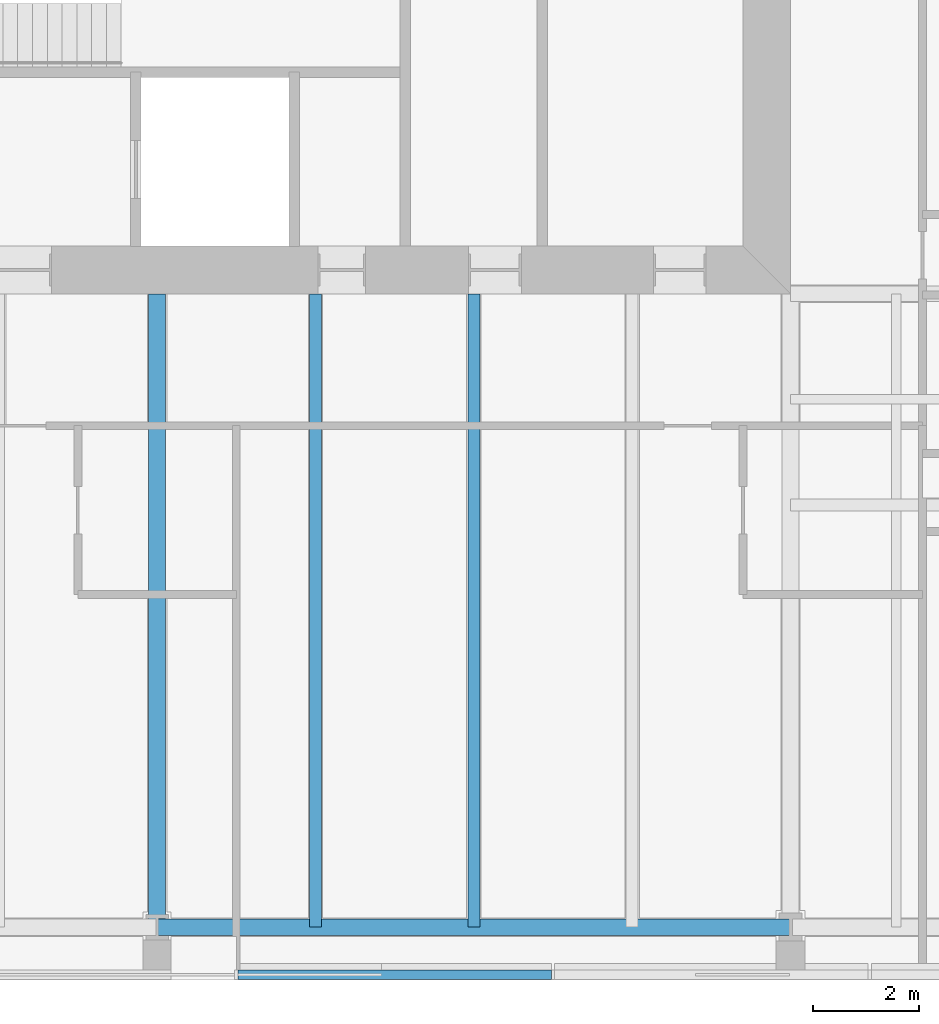
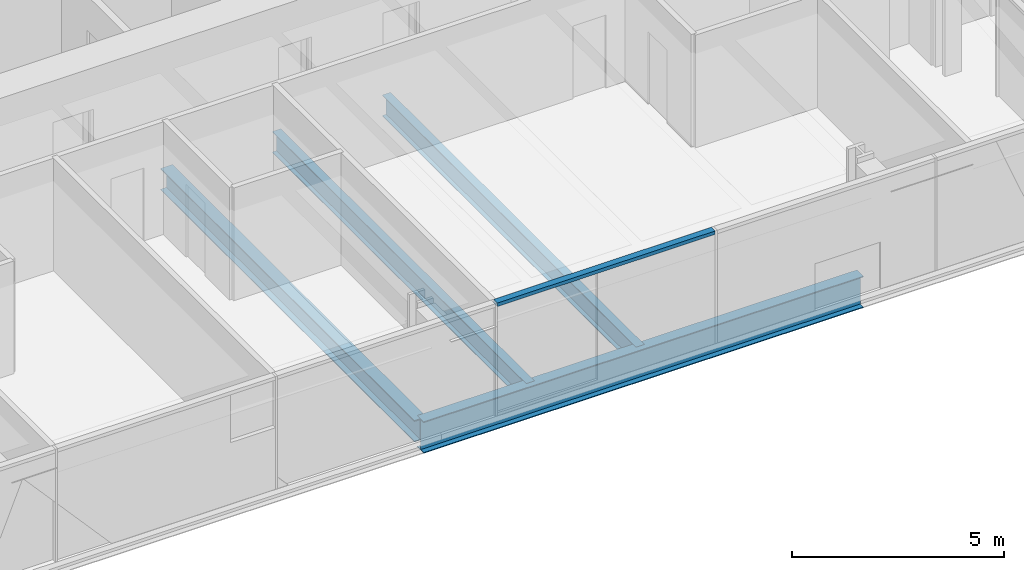
# One storey, part 3 of 18: 4 beams, 1 member, 1 element without a shape of its own.
"""IFC4 building model written with IfcOpenShell, lengths in metres."""

import ifcopenshell
import ifcopenshell.guid

model = None  # the IFC model being written
_history = None  # IfcOwnerHistory: only IFC2X3 demands one
_inside = {}  # id of a spatial element -> (the spatial element, [elements in it])
_under = {}  # id of a project, library or spatial element -> (it, [spatial elements below it])
_declared = {}  # id of a project -> (the project, [libraries it declares])
_typed = {}  # id of a type object -> (the type object, [elements of that type])
_made_of = {}  # id of a material, layer set ... -> (it, [elements and type objects made of it])


def new_model(schema):
    """Start an empty IFC model of exactly this schema.

    Asked for "IFC4X3", IfcOpenShell would pick the latest addendum, in which some entities
    have other attributes; the version numbers below select the first issue.
    IFC2X3 requires an IfcOwnerHistory on every rooted entity: one is made here for all.
    """
    global model, _history
    if schema == "IFC4X3":
        model = ifcopenshell.file(schema_version=(4, 3, 0, 0))
    else:
        model = ifcopenshell.file(schema=schema)
    _inside.clear()
    _under.clear()
    _declared.clear()
    _typed.clear()
    _made_of.clear()
    _history = None
    if model.schema == "IFC2X3":
        org = make("IfcOrganization", Name="unknown")
        user = make(
            "IfcPersonAndOrganization",
            ThePerson=make("IfcPerson", FamilyName="unknown"),
            TheOrganization=org,
        )
        app = make(
            "IfcApplication",
            ApplicationDeveloper=org,
            Version="unknown",
            ApplicationFullName="unknown",
            ApplicationIdentifier="unknown",
        )
        _history = make(
            "IfcOwnerHistory",
            OwningUser=user,
            OwningApplication=app,
            ChangeAction="ADDED",
            CreationDate=0,
        )
    return model


def make(cls, **values):
    """One entity of the class cls with the attributes given. An attribute that is None is left unset."""
    return model.create_entity(
        cls, **{name: value for name, value in values.items() if value is not None}
    )


def rooted(cls, **values):
    """An entity with a GlobalId (a new one), such as an element, a storey or a relation."""
    return make(cls, GlobalId=ifcopenshell.guid.new(), OwnerHistory=_history, **values)


def si_unit(unit_type, name, prefix=None):
    """IfcSIUnit, for example si_unit("LENGTHUNIT", "METRE", prefix="MILLI")."""
    return make("IfcSIUnit", UnitType=unit_type, Prefix=prefix, Name=name)


def assignment(units):
    """IfcUnitAssignment: the units of a project."""
    return None if units is None else make("IfcUnitAssignment", Units=units)


def point(xyz):
    """IfcCartesianPoint."""
    return None if xyz is None else make("IfcCartesianPoint", Coordinates=xyz)


def direction(xyz):
    """IfcDirection."""
    return None if xyz is None else make("IfcDirection", DirectionRatios=xyz)


def frame(location, z_axis=None, x_axis=None):
    """IfcAxis2Placement3D, a coordinate frame: its origin and axes. An axis left out is left unset."""
    return make(
        "IfcAxis2Placement3D",
        Location=point(location),
        Axis=direction(z_axis),
        RefDirection=direction(x_axis),
    )


def frame_2d(location, x_axis=None):
    """IfcAxis2Placement2D, a coordinate frame in the plane: its origin and x axis."""
    return make(
        "IfcAxis2Placement2D", Location=point(location), RefDirection=direction(x_axis)
    )


def origin():
    """The frame at (0, 0, 0) with its axes left unset."""
    return frame((0.0, 0.0, 0.0))


def origin_2d():
    """The frame at (0, 0) in the plane with its x axis left unset."""
    return frame_2d((0.0, 0.0))


def place(relative_to, where):
    """IfcLocalPlacement: puts the frame where relative to a parent placement (None: the world)."""
    return make(
        "IfcLocalPlacement", PlacementRelTo=relative_to, RelativePlacement=where
    )


def context(
    kind, dimensions, precision=None, world=None, true_north=None, identifier=None
):
    """IfcGeometricRepresentationContext, for example the 3D "Model" context."""
    return make(
        "IfcGeometricRepresentationContext",
        ContextIdentifier=identifier,
        ContextType=kind,
        CoordinateSpaceDimension=dimensions,
        Precision=precision,
        WorldCoordinateSystem=world,
        TrueNorth=true_north,
    )


def subcontext(parent, identifier, kind, view, scale=None):
    """IfcGeometricRepresentationSubContext, for example "Body" below "Model"."""
    return make(
        "IfcGeometricRepresentationSubContext",
        ContextIdentifier=identifier,
        ContextType=kind,
        ParentContext=parent,
        TargetScale=scale,
        TargetView=view,
    )


def project(units=None, contexts=None):
    """IfcProject with its units and contexts."""
    return rooted(
        "IfcProject",
        Name="project",
        RepresentationContexts=contexts,
        UnitsInContext=assignment(units),
    )


def spatial(cls, under=None, at=None, **own):
    """A site, building, storey or space (cls), placed at a placement, below another one or the project."""
    s = rooted(cls, ObjectPlacement=at, **own)
    if under is not None:
        _under.setdefault(under.id(), (under, []))[1].append(s)
    return s


def profile(cls, at=None, kind="AREA", **sizes):
    """A parametric profile (cls). Its sizes go by their IFC names, for example OverallWidth=200.0."""
    return make(cls, ProfileType=kind, Position=at, **sizes)


def rectangle(**sizes):
    """IfcRectangleProfileDef."""
    return profile("IfcRectangleProfileDef", **sizes)


def i_section(**sizes):
    """IfcIShapeProfileDef."""
    return profile("IfcIShapeProfileDef", **sizes)


def extrude(swept, where, along, depth):
    """IfcExtrudedAreaSolid: the profile swept, set in the frame where, extruded along a direction by depth."""
    return make(
        "IfcExtrudedAreaSolid",
        SweptArea=swept,
        Position=where,
        ExtrudedDirection=direction(along),
        Depth=depth,
    )


def shape(context_of_items, identifier, shape_type, items):
    """IfcShapeRepresentation: the items that make up one representation, for example the "Body"."""
    return make(
        "IfcShapeRepresentation",
        ContextOfItems=context_of_items,
        RepresentationIdentifier=identifier,
        RepresentationType=shape_type,
        Items=items,
    )


def material(Name=None, Category=None):
    """IfcMaterial."""
    return make("IfcMaterial", Name=Name, Category=Category)


def material_profile(
    of_material, cross_section, Name=None, Category=None, Priority=None
):
    """IfcMaterialProfile: a cross section and its material."""
    return make(
        "IfcMaterialProfile",
        Name=Name,
        Material=of_material,
        Profile=cross_section,
        Priority=Priority,
        Category=Category,
    )


def profile_set(profiles, Name=None, composite=None):
    """IfcMaterialProfileSet."""
    return make(
        "IfcMaterialProfileSet",
        Name=Name,
        MaterialProfiles=profiles,
        CompositeProfile=composite,
    )


def made_of(thing, what):
    """Note that an element or type object is made of a material, layer set ...; save() writes the relation."""
    if what is not None:
        _made_of.setdefault(what.id(), (what, []))[1].append(thing)
    return thing


def type_object(cls, material=None, **own):
    """A type object (cls), such as IfcWallType, which elements share."""
    return made_of(rooted(cls, **own), material)


def element(
    cls,
    number,
    at=None,
    inside=None,
    cuts=None,
    type_object=None,
    material=None,
    context=None,
    identifier="Body",
    shape_type=None,
    held_by="IfcProductDefinitionShape",
    body=None,
    shapes=None,
    **own,
):
    """One element of the class cls, such as IfcWall. Its Tag is "e" and its number.

    at: its placement. inside: the storey or other place that contains it. cuts: it is an
    opening in that element (IfcRelVoidsElement). A single representation is given by context,
    identifier, shape_type and body (its items); several are given by shapes. held_by: the class
    of the entity that holds the representations. save() writes the other relations.
    """
    e = rooted(cls, Tag="e%d" % number, ObjectPlacement=at, **own)
    if body is not None:
        shapes = [shape(context, identifier, shape_type, body)]
    if shapes is not None:
        e.Representation = make(held_by, Representations=shapes)
    if inside is not None:
        _inside.setdefault(inside.id(), (inside, []))[1].append(e)
    if cuts is not None:
        rooted(
            "IfcRelVoidsElement", RelatingBuildingElement=cuts, RelatedOpeningElement=e
        )
    if type_object is not None:
        _typed.setdefault(type_object.id(), (type_object, []))[1].append(e)
    return made_of(e, material)


def aggregate(whole, parts):
    """IfcRelAggregates: a whole, such as a stair, and the parts it consists of."""
    return rooted("IfcRelAggregates", RelatingObject=whole, RelatedObjects=parts)


def save(model, path):
    """Write the relations noted so far, then the file.

    IfcRelAggregates (storeys below a building ...), IfcRelContainedInSpatialStructure (elements
    in a storey), IfcRelDefinesByType, IfcRelAssociatesMaterial and IfcRelDeclares: one each for
    every whole, place, type object, material and project.
    """
    for whole, parts in _under.values():
        aggregate(whole, parts)
    for where, things in _inside.values():
        rooted(
            "IfcRelContainedInSpatialStructure",
            RelatedElements=things,
            RelatingStructure=where,
        )
    for kind, things in _typed.values():
        rooted("IfcRelDefinesByType", RelatedObjects=things, RelatingType=kind)
    for what, things in _made_of.values():
        rooted("IfcRelAssociatesMaterial", RelatedObjects=things, RelatingMaterial=what)
    for by, libraries in _declared.values():
        rooted("IfcRelDeclares", RelatingContext=by, RelatedDefinitions=libraries)
    model.write(path)


model = new_model("IFC4")

# Units and contexts
model_context = context("Model", 3, precision=1e-05, world=origin(), true_north=direction((0.0, 1.0)))
body_context = subcontext(model_context, "Body", "Model", "MODEL_VIEW")
ifc_project = project(units=[si_unit("LENGTHUNIT", "METRE"), si_unit("AREAUNIT", "SQUARE_METRE"), si_unit("VOLUMEUNIT", "CUBIC_METRE"), si_unit("PLANEANGLEUNIT", "RADIAN"), si_unit("MASSUNIT", "GRAM", prefix="KILO")], contexts=[model_context])

# Site, building, storey
site_placement = place(None, origin())
site = spatial("IfcSite", under=ifc_project, at=site_placement, CompositionType="ELEMENT")
building_placement = place(site_placement, origin())
building = spatial("IfcBuilding", under=site, at=building_placement, Name="Fenwick Lantern Interchange", CompositionType="ELEMENT")
storey_placement = place(building_placement, frame((0.0, 0.0, 290.0)))
storey = spatial("IfcBuildingStorey", under=building, at=storey_placement, Name="L70", CompositionType="ELEMENT", Elevation=290.0)

# Beams
ifc_material_1 = material(Name="Steel ASTM A992 Grade 50", Category="steel")
ifc_material_profile_1 = material_profile(ifc_material_1, i_section(OverallWidth=0.3046875, OverallDepth=0.911865234375, WebThickness=0.015869140625, FlangeThickness=0.02392578125, at=origin_2d()), Name="W36X150")
ifc_profile_set_1 = profile_set([ifc_material_profile_1], Name="Steel ASTM A992 Grade 50")
beam_type_1 = type_object("IfcBeamType", Name="EDGE BEAM W36X150", PredefinedType="SPANDREL", material=ifc_profile_set_1)
beam_1_placement = place(storey_placement, frame((25.0, 1.0, -0.60595703125), z_axis=(1.0, 0.0, 0.0), x_axis=(0.0, 1.0, 0.0)))
element("IfcBeam", 1, at=beam_1_placement, inside=storey, type_object=beam_type_1, Name="L70/FR/S/EB3", PredefinedType="SPANDREL", context=body_context, shape_type="SweptSolid", body=[
    extrude(i_section(OverallWidth=0.3046875, OverallDepth=0.911865234375, WebThickness=0.015869140625, FlangeThickness=0.02392578125, at=origin_2d()), origin(), (0.0, 0.0, 1.0), 12.0),
])
ifc_material_profile_2 = material_profile(ifc_material_1, i_section(OverallWidth=0.22900390625, OverallDepth=0.612060546875, WebThickness=0.011962890625, FlangeThickness=0.01953125, at=origin_2d()), Name="W24X84")
ifc_profile_set_2 = profile_set([ifc_material_profile_2], Name="Steel ASTM A992 Grade 50")
beam_type_2 = type_object("IfcBeamType", Name="FLOOR BEAM W24X84", PredefinedType="BEAM", material=ifc_profile_set_2)
for number, where, z_axis, x_axis, name in (
    (2, (28.0, 1.0, -0.4560546875), (0.0, 1.0, 0.0), (-1.0, 0.0, 0.0), "L70/FR/S/R06"),
    (3, (31.0, 1.0, -0.4560546875), (0.0, 1.0, 0.0), (-1.0, 0.0, 0.0), "L70/FR/S/R07"),
):
    element("IfcBeam", number, at=place(storey_placement, frame(where, z_axis=z_axis, x_axis=x_axis)), inside=storey, type_object=beam_type_2, Name=name, PredefinedType="BEAM", context=body_context, shape_type="SweptSolid", body=[
        extrude(i_section(OverallWidth=0.22900390625, OverallDepth=0.612060546875, WebThickness=0.011962890625, FlangeThickness=0.01953125, at=origin_2d()), origin(), (0.0, 0.0, 1.0), 12.0),
    ])

# Curtain wall, member
ifc_material_2 = material(Name="Aluminium curtain wall frame", Category="aluminium")
curtain_wall_type = type_object("IfcCurtainWallType", Name="HOTEL CURTAIN WALL", PredefinedType="USERDEFINED", material=ifc_material_2)
curtain_wall_placement = place(storey_placement, origin())
curtain_wall = element("IfcCurtainWall", 4, at=curtain_wall_placement, inside=storey, type_object=curtain_wall_type, Name="Hotel curtain wall 01", ObjectType="HOTEL CURTAIN WALL", PredefinedType="USERDEFINED")
ifc_material_3 = material(Name="Aluminium extrusion", Category="aluminium")
ifc_material_profile_3 = material_profile(ifc_material_3, rectangle(XDim=0.179931640625, YDim=0.10009765625, at=origin_2d()), Name="HOTEL CURTAIN WALL TRANSOM 100 X 180")
ifc_profile_set_3 = profile_set([ifc_material_profile_3], Name="Aluminium extrusion")
member_type = type_object("IfcMemberType", Name="HOTEL CURTAIN WALL TRANSOM 100 X 180", PredefinedType="MULLION", material=ifc_profile_set_3)
member_placement = place(storey_placement, frame((26.530029296875, 0.10009765625, 3.199951171875), z_axis=(1.0, 0.0, 0.0), x_axis=(0.0, 1.0, 0.0)))
member = element("IfcMember", 5, at=member_placement, type_object=member_type, Name="L70/CW/01/T04", PredefinedType="MULLION", context=body_context, shape_type="SweptSolid", body=[
    extrude(rectangle(XDim=0.179931640625, YDim=0.10009765625, at=origin_2d()), origin(), (0.0, 0.0, 1.0), 5.93994140625),
])
aggregate(curtain_wall, [member])

# Beam
ifc_material_profile_4 = material_profile(ifc_material_1, i_section(OverallWidth=0.32763671875, OverallDepth=0.622314453125, WebThickness=0.015380859375, FlangeThickness=0.0244140625, at=origin_2d()), Name="W24X131")
ifc_profile_set_4 = profile_set([ifc_material_profile_4], Name="Steel ASTM A992 Grade 50")
beam_type_3 = type_object("IfcBeamType", Name="MOMENT-CONNECTED GIRDER W24X131", PredefinedType="BEAM", material=ifc_profile_set_4)
beam_2_placement = place(storey_placement, frame((25.0, 1.0, -0.461181640625), z_axis=(0.0, 1.0, 0.0), x_axis=(-1.0, 0.0, 0.0)))
element("IfcBeam", 6, at=beam_2_placement, inside=storey, type_object=beam_type_3, Name="L70/FR/S/R05", PredefinedType="BEAM", context=body_context, shape_type="SweptSolid", body=[
    extrude(i_section(OverallWidth=0.32763671875, OverallDepth=0.622314453125, WebThickness=0.015380859375, FlangeThickness=0.0244140625, at=origin_2d()), origin(), (0.0, 0.0, 1.0), 12.0),
])

save(model, "model.ifc")
